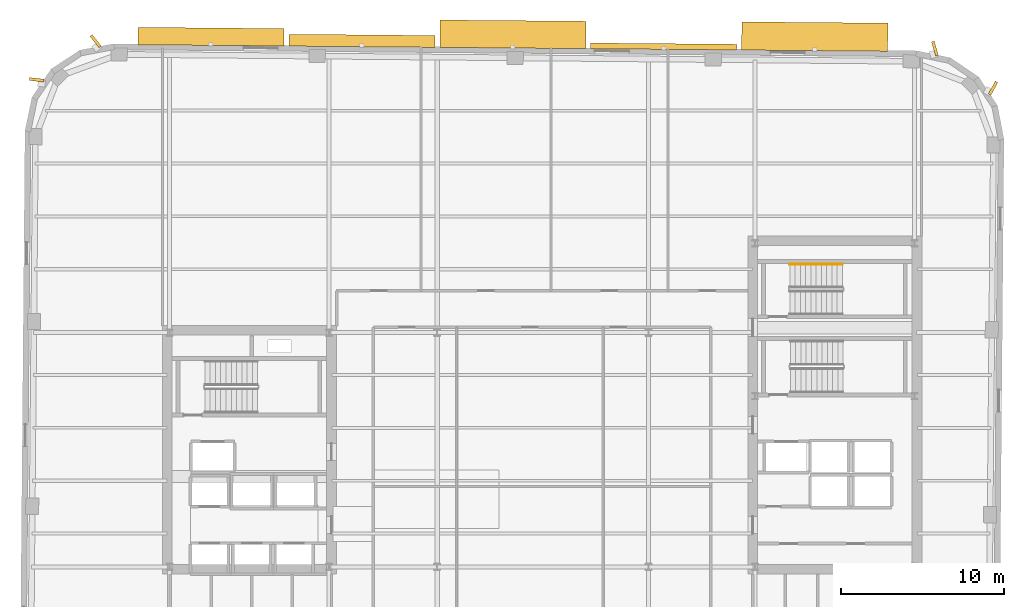
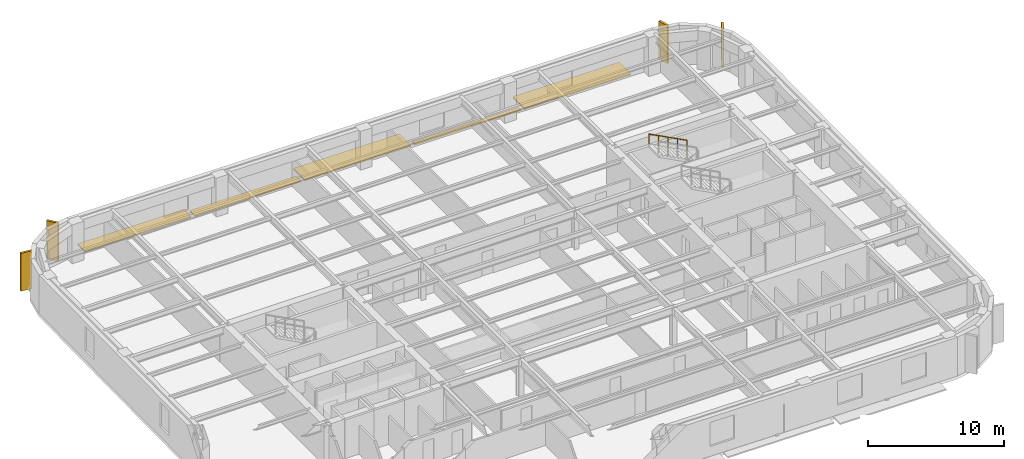
# One storey, part 12 of 12: 9 shading devices, 1 railing.
"""IFC4 building model written with IfcOpenShell, lengths in metres."""

from ifc_helpers import new_model, si_unit, direction, frame, origin, origin_2d, place, context, subcontext, project, spatial, rectangle, circle, extrude, material, type_object, element, save


model = new_model("IFC4")

# Units and contexts
model_context = context("Model", 3, precision=1e-05, world=origin(), true_north=direction((0.0, 1.0)))
body_context = subcontext(model_context, "Body", "Model", "MODEL_VIEW")
ifc_project = project(units=[si_unit("LENGTHUNIT", "METRE"), si_unit("AREAUNIT", "SQUARE_METRE"), si_unit("VOLUMEUNIT", "CUBIC_METRE"), si_unit("PLANEANGLEUNIT", "RADIAN"), si_unit("MASSUNIT", "GRAM", prefix="KILO")], contexts=[model_context])

# Site, building, storey
site_placement = place(None, origin())
site = spatial("IfcSite", under=ifc_project, at=site_placement, CompositionType="ELEMENT")
building_placement = place(site_placement, origin())
building = spatial("IfcBuilding", under=site, at=building_placement, Name="Kolvaren Arena Tower", CompositionType="ELEMENT")
storey_placement = place(building_placement, frame((0.0, 0.0, 188.449951171875)))
storey = spatial("IfcBuildingStorey", under=building, at=storey_placement, Name="L45", CompositionType="ELEMENT", Elevation=188.449951171875)

# Railing
ifc_material_1 = material(Name="Brushed stainless steel handrail", Category="steel")
railing_type = type_object("IfcRailingType", Name="HRAIL-900", PredefinedType="HANDRAIL", material=ifc_material_1)
railing_placement = place(storey_placement, frame((55.919921875, 38.050048828125, 2.04541015625)))
element("IfcRailing", 1, at=railing_placement, inside=storey, type_object=railing_type, Name="L45 ST-E2 stair handrail 2", PredefinedType="HANDRAIL", context=body_context, shape_type="SweptSolid", body=[
    extrude(circle(Radius=0.02392578125, at=origin_2d()), frame((0.0, 0.0, 0.8759765625), z_axis=(-0.884993431791, 0.0, 0.465603506952), x_axis=(0.0, -1.0, 0.0)), (0.0, 0.0, 1.0), 3.6611328125),
    extrude(circle(Radius=0.02099609375, at=origin_2d()), origin(), (0.0, 0.0, 1.0), 0.851806640625),
    extrude(circle(Radius=0.02099609375, at=origin_2d()), frame((-0.81005859375, 0.0, 0.42626953125)), (0.0, 0.0, 1.0), 0.851806640625),
    extrude(circle(Radius=0.02099609375, at=origin_2d()), frame((-1.6201171875, 0.0, 0.852294921875)), (0.0, 0.0, 1.0), 0.851806640625),
    extrude(circle(Radius=0.02099609375, at=origin_2d()), frame((-2.429931640625, 0.0, 1.2783203125)), (0.0, 0.0, 1.0), 0.851806640625),
    extrude(circle(Radius=0.02099609375, at=origin_2d()), frame((-3.239990234375, 0.0, 1.70458984375)), (0.0, 0.0, 1.0), 0.851806640625),
])

# Shading devices
ifc_material_2 = material(Name="Precast architectural concrete C50/60 rib fin", Category="concrete")
shading_device_type_1 = type_object("IfcShadingDeviceType", Name="SHAD-FIN-28", PredefinedType="USERDEFINED", material=ifc_material_2)
for number, where, z_axis, x_axis, name in (
    (2, (65.18115234375, 48.885009765625, 0.02001953125), (0.0, 0.0, 1.0), (0.480994889615, 0.876723397751, 0.0), "Precast 28-Deg Corner Rib Fin (L45)"),
    (3, (61.602783203125, 51.321533203125, 0.02001953125), (0.0, 0.0, 1.0), (-0.279812257957, 0.960054738177, 0.0), "Precast 28-Deg Corner Rib Fin (L45)"),
    (4, (9.997802734375, 51.77197265625, 0.02001953125), (0.0, 0.0, 1.0), (-0.625923472184, 0.779884483093, 0.0), "Precast 28-Deg Corner Rib Fin (L45)"),
    (5, (6.37744140625, 49.398193359375, 0.02001953125), (0.0, 0.0, 1.0), (-0.994056908234, 0.108861669984, 0.0), "Precast 28-Deg Corner Rib Fin (L45)"),
):
    element("IfcShadingDevice", number, at=place(storey_placement, frame(where, z_axis=z_axis, x_axis=x_axis)), inside=storey, type_object=shading_device_type_1, Name=name, ObjectType="FIN", PredefinedType="USERDEFINED", context=body_context, shape_type="SweptSolid", body=[
        extrude(rectangle(XDim=0.89990234375, YDim=0.179931640625, at=origin_2d()), origin(), (0.0, 0.0, 1.0), 3.39990234375),
    ])
ifc_material_3 = material(Name="Architectural precast GFRC and anodised aluminium sunshade", Category="concrete")
shading_device_type_2 = type_object("IfcShadingDeviceType", Name="SHAD-SINE-A", PredefinedType="USERDEFINED", material=ifc_material_3)
shading_device_1_placement = place(storey_placement, frame((17.093994140625, 52.048583984375, -0.139892578125), z_axis=(0.0, 0.0, 1.0), x_axis=(0.999961923064, -0.008726535498, 0.0)))
element("IfcShadingDevice", 6, at=shading_device_1_placement, inside=storey, type_object=shading_device_type_2, Name="Sinusoidal Slab-Edge Sunshade Louvre (L45)", ObjectType="LOUVRE", PredefinedType="USERDEFINED", context=body_context, shape_type="SweptSolid", body=[
    extrude(rectangle(XDim=8.97998046875, YDim=1.072265625, at=origin_2d()), origin(), (0.0, 0.0, 1.0), 0.1201171875),
])
shading_device_2_placement = place(storey_placement, frame((26.3720703125, 51.79541015625, -0.139892578125), z_axis=(0.0, 0.0, 1.0), x_axis=(0.999961923064, -0.008726535498, 0.0)))
element("IfcShadingDevice", 7, at=shading_device_2_placement, inside=storey, type_object=shading_device_type_2, Name="Sinusoidal Slab-Edge Sunshade Louvre (L45)", ObjectType="LOUVRE", PredefinedType="USERDEFINED", context=body_context, shape_type="SweptSolid", body=[
    extrude(rectangle(XDim=8.97998046875, YDim=0.728271484375, at=origin_2d()), origin(), (0.0, 0.0, 1.0), 0.1201171875),
])
shading_device_3_placement = place(storey_placement, frame((44.9296875, 51.4453125, -0.139892578125), z_axis=(0.0, 0.0, 1.0), x_axis=(0.999961923064, -0.008726535498, 0.0)))
element("IfcShadingDevice", 8, at=shading_device_3_placement, inside=storey, type_object=shading_device_type_2, Name="Sinusoidal Slab-Edge Sunshade Louvre (L45)", ObjectType="LOUVRE", PredefinedType="USERDEFINED", context=body_context, shape_type="SweptSolid", body=[
    extrude(rectangle(XDim=8.97998046875, YDim=0.3515625, at=origin_2d()), origin(), (0.0, 0.0, 1.0), 0.1201171875),
])
shading_device_type_3 = type_object("IfcShadingDeviceType", Name="SHAD-SINE-B", PredefinedType="JALOUSIE", material=ifc_material_3)
shading_device_4_placement = place(storey_placement, frame((35.656005859375, 52.193115234375, -0.139892578125), z_axis=(0.0, 0.0, 1.0), x_axis=(0.999961923064, -0.008726535498, 0.0)))
element("IfcShadingDevice", 9, at=shading_device_4_placement, inside=storey, type_object=shading_device_type_3, Name="Sinusoidal Slab-Edge Sunshade Louvre (L45)", PredefinedType="JALOUSIE", context=body_context, shape_type="SweptSolid", body=[
    extrude(rectangle(XDim=8.97998046875, YDim=1.685546875, at=origin_2d()), origin(), (0.0, 0.0, 1.0), 0.1201171875),
])
shading_device_5_placement = place(storey_placement, frame((54.21533203125, 52.0546875, -0.139892578125), z_axis=(0.0, 0.0, 1.0), x_axis=(0.999961923064, -0.008726535498, 0.0)))
element("IfcShadingDevice", 10, at=shading_device_5_placement, inside=storey, type_object=shading_device_type_3, Name="Sinusoidal Slab-Edge Sunshade Louvre (L45)", PredefinedType="JALOUSIE", context=body_context, shape_type="SweptSolid", body=[
    extrude(rectangle(XDim=8.97998046875, YDim=1.732177734375, at=origin_2d()), origin(), (0.0, 0.0, 1.0), 0.1201171875),
])

save(model, "model.ifc")
